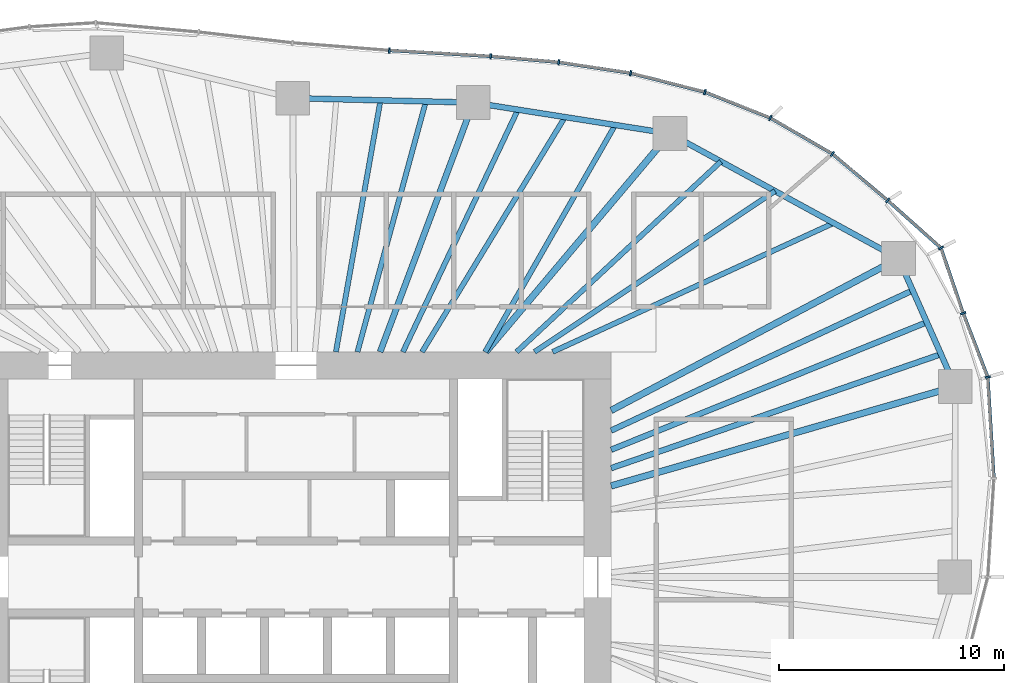
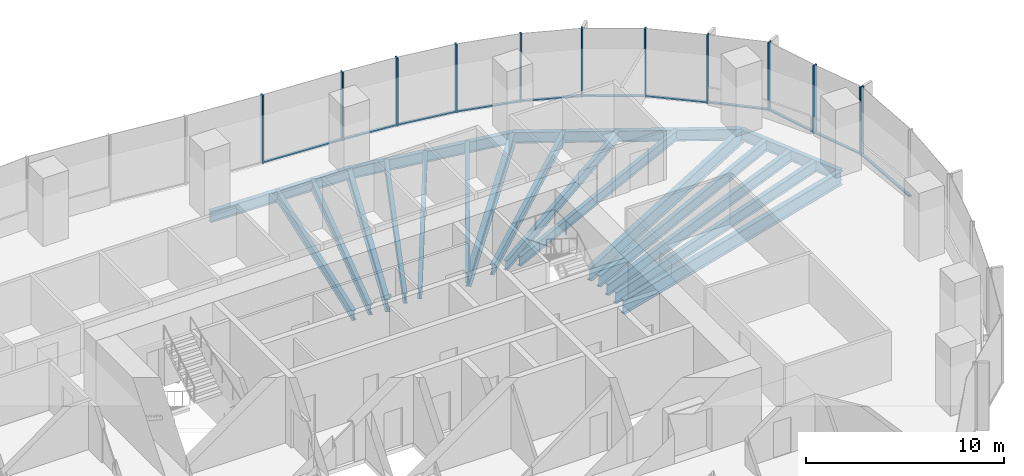
# One storey, part 6 of 18: 22 members, 19 beams, 5 elements without a shape of their own.
"""IFC4 building model written with IfcOpenShell, lengths in metres."""

from ifc_helpers import new_model, si_unit, direction, frame, origin, origin_2d, place, context, subcontext, project, spatial, rectangle, i_section, extrude, material, material_profile, profile_set, type_object, element, aggregate, save


model = new_model("IFC4")

# Units and contexts
model_context = context("Model", 3, precision=1e-05, world=origin(), true_north=direction((0.0, 1.0)))
body_context = subcontext(model_context, "Body", "Model", "MODEL_VIEW")
ifc_project = project(units=[si_unit("LENGTHUNIT", "METRE"), si_unit("AREAUNIT", "SQUARE_METRE"), si_unit("VOLUMEUNIT", "CUBIC_METRE"), si_unit("PLANEANGLEUNIT", "RADIAN"), si_unit("MASSUNIT", "GRAM", prefix="KILO")], contexts=[model_context])

# Site, building, storey
site_placement = place(None, origin())
site = spatial("IfcSite", under=ifc_project, at=site_placement, CompositionType="ELEMENT")
building_placement = place(site_placement, origin())
building = spatial("IfcBuilding", under=site, at=building_placement, Name="Ghaith Harvest Tower", CompositionType="ELEMENT")
storey_placement = place(building_placement, frame((0.0, 0.0, 138.60009765625)))
storey = spatial("IfcBuildingStorey", under=building, at=storey_placement, Name="L29", CompositionType="ELEMENT", Elevation=138.60009765625)

# Curtain wall, members
ifc_material_1 = material(Name="Black anodised aluminium and fritted glass", Category="aluminium")
curtain_wall_type = type_object("IfcCurtainWallType", Name="CW-L CURTAIN WALL", PredefinedType="NOTDEFINED", material=ifc_material_1)
curtain_wall_1_placement = place(storey_placement, origin())
curtain_wall_1 = element("IfcCurtainWall", 1, at=curtain_wall_1_placement, inside=storey, type_object=curtain_wall_type, Name="Curtain wall CW-L bay 02 L29", PredefinedType="NOTDEFINED")
ifc_material_2 = material(Name="Aluminium, black anodised", Category="aluminium")
ifc_material_profile_1 = material_profile(ifc_material_2, rectangle(XDim=0.080078125, YDim=0.239990234375, at=origin_2d()), Name="CW-L MULLION 80x240")
ifc_profile_set_1 = profile_set([ifc_material_profile_1], Name="Aluminium, black anodised")
member_type_1 = type_object("IfcMemberType", Name="CW-L MULLION 80x240", PredefinedType="MULLION", material=ifc_profile_set_1)
member_1_placement = place(storey_placement, frame((30.727294921875, 8.880859375, 0.0), z_axis=(0.0, 0.0, 1.0), x_axis=(-0.183070248196, 0.983099834313, 0.0)))
member_1 = element("IfcMember", 2, at=member_1_placement, type_object=member_type_1, Name="CW-L mullion 1 bay 02 L29", PredefinedType="MULLION", context=body_context, shape_type="SweptSolid", body=[
    extrude(rectangle(XDim=0.080078125, YDim=0.239990234375, at=origin_2d()), origin(), (0.0, 0.0, 1.0), 4.199951171875),
])
member_2_placement = place(storey_placement, frame((29.634521484375, 11.7158203125, 0.0), z_axis=(0.0, 0.0, 1.0), x_axis=(-0.340771198528, 0.940146260033, 0.0)))
member_2 = element("IfcMember", 3, at=member_2_placement, type_object=member_type_1, Name="CW-L mullion 2 bay 02 L29", PredefinedType="MULLION", context=body_context, shape_type="SweptSolid", body=[
    extrude(rectangle(XDim=0.080078125, YDim=0.239990234375, at=origin_2d()), origin(), (0.0, 0.0, 1.0), 4.199951171875),
])
member_3_placement = place(storey_placement, frame((28.64990234375, 14.61181640625, 0.0), z_axis=(0.0, 0.0, 1.0), x_axis=(-0.556324287652, 0.830965274225, 0.0)))
member_3 = element("IfcMember", 4, at=member_3_placement, type_object=member_type_1, Name="CW-L mullion 3 bay 02 L29", PredefinedType="MULLION", context=body_context, shape_type="SweptSolid", body=[
    extrude(rectangle(XDim=0.080078125, YDim=0.239990234375, at=origin_2d()), origin(), (0.0, 0.0, 1.0), 4.199951171875),
])

curtain_wall_2_placement = place(storey_placement, origin())
curtain_wall_2 = element("IfcCurtainWall", 5, at=curtain_wall_2_placement, inside=storey, type_object=curtain_wall_type, Name="Curtain wall CW-L bay 03 L29", PredefinedType="NOTDEFINED")
member_4_placement = place(storey_placement, frame((26.28076171875, 16.725341796875, 0.0), z_axis=(0.0, 0.0, 1.0), x_axis=(-0.755999423268, 0.654572281737, 0.0)))
member_4 = element("IfcMember", 6, at=member_4_placement, type_object=member_type_1, Name="CW-L mullion 1 bay 03 L29", PredefinedType="MULLION", context=body_context, shape_type="SweptSolid", body=[
    extrude(rectangle(XDim=0.080078125, YDim=0.239990234375, at=origin_2d()), origin(), (0.0, 0.0, 1.0), 4.199951171875),
])
member_5_placement = place(storey_placement, frame((23.82177734375, 18.792236328125, 0.0), z_axis=(0.0, 0.0, 1.0), x_axis=(-0.818228862146, 0.574892624018, 0.0)))
member_5 = element("IfcMember", 7, at=member_5_placement, type_object=member_type_1, Name="CW-L mullion 2 bay 03 L29", PredefinedType="MULLION", context=body_context, shape_type="SweptSolid", body=[
    extrude(rectangle(XDim=0.080078125, YDim=0.239990234375, at=origin_2d()), origin(), (0.0, 0.0, 1.0), 4.199951171875),
])
member_6_placement = place(storey_placement, frame((21.066162109375, 20.38916015625, 0.0), z_axis=(0.0, 0.0, 1.0), x_axis=(-0.899713343282, 0.436481270985, 0.0)))
member_6 = element("IfcMember", 8, at=member_6_placement, type_object=member_type_1, Name="CW-L mullion 3 bay 03 L29", PredefinedType="MULLION", context=body_context, shape_type="SweptSolid", body=[
    extrude(rectangle(XDim=0.080078125, YDim=0.239990234375, at=origin_2d()), origin(), (0.0, 0.0, 1.0), 4.199951171875),
])

curtain_wall_3_placement = place(storey_placement, origin())
curtain_wall_3 = element("IfcCurtainWall", 9, at=curtain_wall_3_placement, inside=storey, type_object=curtain_wall_type, Name="Curtain wall CW-L bay 04 L29", PredefinedType="NOTDEFINED")
member_7_placement = place(storey_placement, frame((18.162353515625, 21.537841796875, 0.0), z_axis=(0.0, 0.0, 1.0), x_axis=(-0.952152258113, 0.30562407852, 0.0)))
member_7 = element("IfcMember", 10, at=member_7_placement, type_object=member_type_1, Name="CW-L mullion 1 bay 04 L29", PredefinedType="MULLION", context=body_context, shape_type="SweptSolid", body=[
    extrude(rectangle(XDim=0.080078125, YDim=0.239990234375, at=origin_2d()), origin(), (0.0, 0.0, 1.0), 4.199951171875),
])
member_8_placement = place(storey_placement, frame((14.86474609375, 22.379638671875, 0.0), z_axis=(0.0, 0.0, 1.0), x_axis=(-0.979751952122, 0.200215165041, 0.0)))
member_8 = element("IfcMember", 11, at=member_8_placement, type_object=member_type_1, Name="CW-L mullion 2 bay 04 L29", PredefinedType="MULLION", context=body_context, shape_type="SweptSolid", body=[
    extrude(rectangle(XDim=0.080078125, YDim=0.239990234375, at=origin_2d()), origin(), (0.0, 0.0, 1.0), 4.199951171875),
])
member_9_placement = place(storey_placement, frame((11.672607421875, 22.864013671875, 0.0), z_axis=(0.0, 0.0, 1.0), x_axis=(-0.992800497873, 0.119779678673, 0.0)))
member_9 = element("IfcMember", 12, at=member_9_placement, type_object=member_type_1, Name="CW-L mullion 3 bay 04 L29", PredefinedType="MULLION", context=body_context, shape_type="SweptSolid", body=[
    extrude(rectangle(XDim=0.080078125, YDim=0.239990234375, at=origin_2d()), origin(), (0.0, 0.0, 1.0), 4.199951171875),
])

curtain_wall_4_placement = place(storey_placement, origin())
curtain_wall_4 = element("IfcCurtainWall", 13, at=curtain_wall_4_placement, inside=storey, type_object=curtain_wall_type, Name="Curtain wall CW-L bay 05 L29", PredefinedType="NOTDEFINED")
member_10_placement = place(storey_placement, frame((8.646728515625, 23.1298828125, 0.0), z_axis=(0.0, 0.0, 1.0), x_axis=(-0.997558767319, 0.069831982257, 0.0)))
member_10 = element("IfcMember", 14, at=member_10_placement, type_object=member_type_1, Name="CW-L mullion 1 bay 05 L29", PredefinedType="MULLION", context=body_context, shape_type="SweptSolid", body=[
    extrude(rectangle(XDim=0.080078125, YDim=0.239990234375, at=origin_2d()), origin(), (0.0, 0.0, 1.0), 4.199951171875),
])
member_11_placement = place(storey_placement, frame((4.146728515625, 23.390869140625, 0.0), z_axis=(0.0, 0.0, 1.0), x_axis=(-0.997689895047, 0.067932858925, 0.0)))
member_11 = element("IfcMember", 15, at=member_11_placement, type_object=member_type_1, Name="CW-L mullion 2 bay 05 L29", PredefinedType="MULLION", context=body_context, shape_type="SweptSolid", body=[
    extrude(rectangle(XDim=0.080078125, YDim=0.239990234375, at=origin_2d()), origin(), (0.0, 0.0, 1.0), 4.199951171875),
])

# Curtain wall, member
curtain_wall_5_placement = place(storey_placement, origin())
curtain_wall_5 = element("IfcCurtainWall", 16, at=curtain_wall_5_placement, inside=storey, type_object=curtain_wall_type, Name="Curtain wall CW-L bay 01 L29", PredefinedType="NOTDEFINED")
ifc_material_3 = material(Name="Aluminium, black anodised", Category="aluminium")
ifc_material_profile_2 = material_profile(ifc_material_3, rectangle(XDim=0.14990234375, YDim=0.080078125, at=origin_2d()), Name="CW-L TRANSOM 150x80")
ifc_profile_set_2 = profile_set([ifc_material_profile_2], Name="Aluminium, black anodised")
member_type_2 = type_object("IfcMemberType", Name="CW-L TRANSOM 150x80", PredefinedType="USERDEFINED", material=ifc_profile_set_2)
member_12_placement = place(storey_placement, frame((30.996337890625, 4.4296875, 0.039794921875), z_axis=(-0.060328261132, 0.99817859169, 0.0), x_axis=(-0.99817859169, -0.060328261132, 0.0)))
member_12 = element("IfcMember", 17, at=member_12_placement, type_object=member_type_2, Name="CW-L transom 2 bay 01 L29", ObjectType="TRANSOM", PredefinedType="USERDEFINED", context=body_context, shape_type="SweptSolid", body=[
    extrude(rectangle(XDim=0.14990234375, YDim=0.080078125, at=origin_2d()), origin(), (0.0, 0.0, 1.0), 4.419189453125),
])
aggregate(curtain_wall_5, [member_12])

# Member
member_13_placement = place(storey_placement, frame((30.712890625, 8.918212890625, 0.039794921875), z_axis=(-0.359637050526, 0.933092274048, 0.0), x_axis=(-0.933092274048, -0.359637050526, 0.0)))
member_13 = element("IfcMember", 18, at=member_13_placement, type_object=member_type_2, Name="CW-L transom 1 bay 02 L29", ObjectType="TRANSOM", PredefinedType="USERDEFINED", context=body_context, shape_type="SweptSolid", body=[
    extrude(rectangle(XDim=0.14990234375, YDim=0.080078125, at=origin_2d()), origin(), (0.0, 0.0, 1.0), 2.95849609375),
])

member_14_placement = place(storey_placement, frame((29.62158203125, 11.75390625, 0.039794921875), z_axis=(-0.321877752664, 0.946781237847, 0.0), x_axis=(-0.946781237847, -0.321877752664, 0.0)))
member_14 = element("IfcMember", 19, at=member_14_placement, type_object=member_type_2, Name="CW-L transom 2 bay 02 L29", ObjectType="TRANSOM", PredefinedType="USERDEFINED", context=body_context, shape_type="SweptSolid", body=[
    extrude(rectangle(XDim=0.14990234375, YDim=0.080078125, at=origin_2d()), origin(), (0.0, 0.0, 1.0), 2.978515625),
])

member_15_placement = place(storey_placement, frame((28.6201171875, 14.638427734375, 0.039794921875), z_axis=(-0.74622871112, 0.665689650438, 0.0), x_axis=(-0.665689650438, -0.74622871112, 0.0)))
member_15 = element("IfcMember", 20, at=member_15_placement, type_object=member_type_2, Name="CW-L transom 3 bay 02 L29", ObjectType="TRANSOM", PredefinedType="USERDEFINED", context=body_context, shape_type="SweptSolid", body=[
    extrude(rectangle(XDim=0.14990234375, YDim=0.080078125, at=origin_2d()), origin(), (0.0, 0.0, 1.0), 3.094970703125),
])

aggregate(curtain_wall_1, [member_1, member_13, member_2, member_14, member_3, member_15])

member_16_placement = place(storey_placement, frame((26.25, 16.7509765625, 0.039794921875), z_axis=(-0.765428400685, 0.643521066808, 0.0), x_axis=(-0.643521066808, -0.765428400685, 0.0)))
member_16 = element("IfcMember", 21, at=member_16_placement, type_object=member_type_2, Name="CW-L transom 1 bay 03 L29", ObjectType="TRANSOM", PredefinedType="USERDEFINED", context=body_context, shape_type="SweptSolid", body=[
    extrude(rectangle(XDim=0.14990234375, YDim=0.080078125, at=origin_2d()), origin(), (0.0, 0.0, 1.0), 3.132080078125),
])

member_17_placement = place(storey_placement, frame((23.787353515625, 18.812255859375, 0.039794921875), z_axis=(-0.865212673937, 0.50140505468, 0.0), x_axis=(-0.50140505468, -0.865212673937, 0.0)))
member_17 = element("IfcMember", 22, at=member_17_placement, type_object=member_type_2, Name="CW-L transom 2 bay 03 L29", ObjectType="TRANSOM", PredefinedType="USERDEFINED", context=body_context, shape_type="SweptSolid", body=[
    extrude(rectangle(XDim=0.14990234375, YDim=0.080078125, at=origin_2d()), origin(), (0.0, 0.0, 1.0), 3.10498046875),
])

member_18_placement = place(storey_placement, frame((21.029052734375, 20.40380859375, 0.039794921875), z_axis=(-0.929880954826, 0.367860584804, 0.0), x_axis=(-0.367860584804, -0.929880954826, 0.0)))
member_18 = element("IfcMember", 23, at=member_18_placement, type_object=member_type_2, Name="CW-L transom 3 bay 03 L29", ObjectType="TRANSOM", PredefinedType="USERDEFINED", context=body_context, shape_type="SweptSolid", body=[
    extrude(rectangle(XDim=0.14990234375, YDim=0.080078125, at=origin_2d()), origin(), (0.0, 0.0, 1.0), 3.04296875),
])

aggregate(curtain_wall_2, [member_4, member_16, member_5, member_17, member_6, member_18])

member_19_placement = place(storey_placement, frame((18.12353515625, 21.5478515625, 0.039794921875), z_axis=(-0.968942433805, 0.247286392614, 0.0), x_axis=(-0.247286392614, -0.968942433805, 0.0)))
member_19 = element("IfcMember", 24, at=member_19_placement, type_object=member_type_2, Name="CW-L transom 1 bay 04 L29", ObjectType="TRANSOM", PredefinedType="USERDEFINED", context=body_context, shape_type="SweptSolid", body=[
    extrude(rectangle(XDim=0.14990234375, YDim=0.080078125, at=origin_2d()), origin(), (0.0, 0.0, 1.0), 3.3232421875),
])

member_20_placement = place(storey_placement, frame((14.8251953125, 22.3857421875, 0.039794921875), z_axis=(-0.988680676153, 0.150035064572, 0.0), x_axis=(-0.150035064572, -0.988680676153, 0.0)))
member_20 = element("IfcMember", 25, at=member_20_placement, type_object=member_type_2, Name="CW-L transom 2 bay 04 L29", ObjectType="TRANSOM", PredefinedType="USERDEFINED", context=body_context, shape_type="SweptSolid", body=[
    extrude(rectangle(XDim=0.14990234375, YDim=0.080078125, at=origin_2d()), origin(), (0.0, 0.0, 1.0), 3.148681640625),
])

member_21_placement = place(storey_placement, frame((11.632568359375, 22.86767578125, 0.039794921875), z_axis=(-0.996171193061, 0.087423990507, 0.0), x_axis=(-0.087423990507, -0.996171193061, 0.0)))
member_21 = element("IfcMember", 26, at=member_21_placement, type_object=member_type_2, Name="CW-L transom 3 bay 04 L29", ObjectType="TRANSOM", PredefinedType="USERDEFINED", context=body_context, shape_type="SweptSolid", body=[
    extrude(rectangle(XDim=0.14990234375, YDim=0.080078125, at=origin_2d()), origin(), (0.0, 0.0, 1.0), 2.957275390625),
])

aggregate(curtain_wall_3, [member_7, member_19, member_8, member_20, member_9, member_21])

member_22_placement = place(storey_placement, frame((8.60693359375, 23.132080078125, 0.039794921875), z_axis=(-0.998319515187, 0.057949509028, 0.0), x_axis=(-0.057949509028, -0.998319515187, 0.0)))
member_22 = element("IfcMember", 27, at=member_22_placement, type_object=member_type_2, Name="CW-L transom 1 bay 05 L29", ObjectType="TRANSOM", PredefinedType="USERDEFINED", context=body_context, shape_type="SweptSolid", body=[
    extrude(rectangle(XDim=0.14990234375, YDim=0.080078125, at=origin_2d()), origin(), (0.0, 0.0, 1.0), 4.427734375),
])

aggregate(curtain_wall_4, [member_10, member_22, member_11])

# Beams
ifc_material_4 = material(Name="Steel ASTM A992 Grade 50", Category="steel")
ifc_material_profile_3 = material_profile(ifc_material_4, i_section(OverallWidth=0.25390625, OverallDepth=0.68408203125, WebThickness=0.012451171875, FlangeThickness=0.018798828125, at=origin_2d()), Name="W690X140")
ifc_profile_set_3 = profile_set([ifc_material_profile_3], Name="Steel ASTM A992 Grade 50")
beam_type_1 = type_object("IfcBeamType", Name="E690-140 W690X140", PredefinedType="SPANDREL", material=ifc_profile_set_3)
beam_1_placement = place(storey_placement, frame((29.285888671875, 8.464111328125, -0.51220703125), z_axis=(-0.405635615749, 0.914034872002, 0.0), x_axis=(-0.914034872002, -0.405635615749, 0.0)))
element("IfcBeam", 28, at=beam_1_placement, inside=storey, type_object=beam_type_1, Name="Edge beam E02 L29", PredefinedType="SPANDREL", context=body_context, shape_type="SweptSolid", body=[
    extrude(i_section(OverallWidth=0.25390625, OverallDepth=0.68408203125, WebThickness=0.012451171875, FlangeThickness=0.018798828125, at=origin_2d()), origin(), (0.0, 0.0, 1.0), 6.21728515625),
])
beam_2_placement = place(storey_placement, frame((26.763916015625, 14.14697265625, -0.51220703125), z_axis=(-0.877588218279, 0.479415184509, 0.0), x_axis=(-0.479415184509, -0.877588218279, 0.0)))
element("IfcBeam", 29, at=beam_2_placement, inside=storey, type_object=beam_type_1, Name="Edge beam E03 L29", PredefinedType="SPANDREL", context=body_context, shape_type="SweptSolid", body=[
    extrude(i_section(OverallWidth=0.25390625, OverallDepth=0.68408203125, WebThickness=0.012451171875, FlangeThickness=0.018798828125, at=origin_2d()), origin(), (0.0, 0.0, 1.0), 11.57275390625),
])
beam_3_placement = place(storey_placement, frame((16.60791015625, 19.695068359375, -0.51220703125), z_axis=(-0.987788485872, 0.155800857439, 0.0), x_axis=(-0.155800857439, -0.987788485872, 0.0)))
element("IfcBeam", 30, at=beam_3_placement, inside=storey, type_object=beam_type_1, Name="Edge beam E04 L29", PredefinedType="SPANDREL", context=body_context, shape_type="SweptSolid", body=[
    extrude(i_section(OverallWidth=0.25390625, OverallDepth=0.68408203125, WebThickness=0.012451171875, FlangeThickness=0.018798828125, at=origin_2d()), origin(), (0.0, 0.0, 1.0), 8.837890625),
])
beam_4_placement = place(storey_placement, frame((7.8779296875, 21.072021484375, -0.51220703125), z_axis=(-0.999692679676, 0.024790042413, 0.0), x_axis=(-0.024790042413, -0.999692679676, 0.0)))
element("IfcBeam", 31, at=beam_4_placement, inside=storey, type_object=beam_type_1, Name="Edge beam E05 L29", PredefinedType="SPANDREL", context=body_context, shape_type="SweptSolid", body=[
    extrude(i_section(OverallWidth=0.25390625, OverallDepth=0.68408203125, WebThickness=0.012451171875, FlangeThickness=0.018798828125, at=origin_2d()), origin(), (0.0, 0.0, 1.0), 8.0263671875),
])
ifc_material_5 = material(Name="Steel ASTM A992 Grade 50", Category="steel")
ifc_material_profile_4 = material_profile(ifc_material_5, i_section(OverallWidth=0.26806640625, OverallDepth=0.77001953125, WebThickness=0.015625, FlangeThickness=0.025390625, at=origin_2d()), Name="W760X196")
ifc_profile_set_4 = profile_set([ifc_material_profile_4], Name="Steel ASTM A992 Grade 50")
beam_type_2 = type_object("IfcBeamType", Name="G760-196 W760X196", PredefinedType="BEAM", material=ifc_profile_set_4)
beam_5_placement = place(storey_placement, frame((3.73828125, 10.0, -0.55517578125), z_axis=(0.350206582147, 0.936672488024, 0.0), x_axis=(-0.936672488024, 0.350206582147, 0.0)))
element("IfcBeam", 32, at=beam_5_placement, inside=storey, type_object=beam_type_2, Name="Radial girder G05 L29", PredefinedType="BEAM", context=body_context, shape_type="SweptSolid", body=[
    extrude(i_section(OverallWidth=0.26806640625, OverallDepth=0.77001953125, WebThickness=0.015625, FlangeThickness=0.025390625, at=origin_2d()), origin(), (0.0, 0.0, 1.0), 11.820556640625),
])
ifc_material_6 = material(Name="Steel ASTM A992 Grade 50", Category="steel")
ifc_material_profile_5 = material_profile(ifc_material_6, i_section(OverallWidth=0.2939453125, OverallDepth=0.85107421875, WebThickness=0.01611328125, FlangeThickness=0.02685546875, at=origin_2d()), Name="W840X226")
ifc_profile_set_5 = profile_set([ifc_material_profile_5], Name="Steel ASTM A992 Grade 50")
beam_type_3 = type_object("IfcBeamType", Name="G840-226 W840X226", PredefinedType="BEAM", material=ifc_profile_set_5)
beam_6_placement = place(storey_placement, frame((14.0, 4.04638671875, -0.595703125), z_axis=(0.960683993303, 0.27764413376, 0.0), x_axis=(-0.27764413376, 0.960683993303, 0.0)))
element("IfcBeam", 33, at=beam_6_placement, inside=storey, type_object=beam_type_3, Name="Radial girder G02 L29", PredefinedType="BEAM", context=body_context, shape_type="SweptSolid", body=[
    extrude(i_section(OverallWidth=0.2939453125, OverallDepth=0.85107421875, WebThickness=0.01611328125, FlangeThickness=0.02685546875, at=origin_2d()), origin(), (0.0, 0.0, 1.0), 15.911376953125),
])
beam_7_placement = place(storey_placement, frame((14.0, 7.39990234375, -0.595703125), z_axis=(0.884082663971, 0.467330550324, 0.0), x_axis=(-0.467330550324, 0.884082663971, 0.0)))
element("IfcBeam", 34, at=beam_7_placement, inside=storey, type_object=beam_type_3, Name="Radial girder G03 L29", PredefinedType="BEAM", context=body_context, shape_type="SweptSolid", body=[
    extrude(i_section(OverallWidth=0.2939453125, OverallDepth=0.85107421875, WebThickness=0.01611328125, FlangeThickness=0.02685546875, at=origin_2d()), origin(), (0.0, 0.0, 1.0), 14.4375),
])
beam_8_placement = place(storey_placement, frame((8.4326171875, 10.0, -0.595703125), z_axis=(0.644644245772, 0.764482698557, 0.0), x_axis=(-0.764482698557, 0.644644245772, 0.0)))
element("IfcBeam", 35, at=beam_8_placement, inside=storey, type_object=beam_type_3, Name="Radial girder G04 L29", PredefinedType="BEAM", context=body_context, shape_type="SweptSolid", body=[
    extrude(i_section(OverallWidth=0.2939453125, OverallDepth=0.85107421875, WebThickness=0.01611328125, FlangeThickness=0.02685546875, at=origin_2d()), origin(), (0.0, 0.0, 1.0), 12.681884765625),
])
ifc_material_7 = material(Name="Steel ASTM A992 Grade 50", Category="steel")
ifc_material_profile_6 = material_profile(ifc_material_7, i_section(OverallWidth=0.22900390625, OverallDepth=0.612060546875, WebThickness=0.011962890625, FlangeThickness=0.01953125, at=origin_2d()), Name="W610X125")
ifc_profile_set_6 = profile_set([ifc_material_profile_6], Name="Steel ASTM A992 Grade 50")
beam_type_4 = type_object("IfcBeamType", Name="J610-125 W610X125", PredefinedType="JOIST", material=ifc_profile_set_6)
beam_9_placement = place(storey_placement, frame((11.39990234375, 10.0, -0.47607421875), z_axis=(0.909014022454, 0.416765529983, 0.0), x_axis=(-0.416765529983, 0.909014022454, 0.0)))
element("IfcBeam", 36, at=beam_9_placement, inside=storey, type_object=beam_type_4, Name="Joist J03.1 L29", PredefinedType="JOIST", context=body_context, shape_type="SweptSolid", body=[
    extrude(i_section(OverallWidth=0.22900390625, OverallDepth=0.612060546875, WebThickness=0.011962890625, FlangeThickness=0.01953125, at=origin_2d()), origin(), (0.0, 0.0, 1.0), 13.72998046875),
])
beam_10_placement = place(storey_placement, frame((10.60009765625, 10.0, -0.47607421875), z_axis=(0.831116486766, 0.556098359489, 0.0), x_axis=(-0.556098359489, 0.831116486766, 0.0)))
element("IfcBeam", 37, at=beam_10_placement, inside=storey, type_object=beam_type_4, Name="Joist J03.2 L29", PredefinedType="JOIST", context=body_context, shape_type="SweptSolid", body=[
    extrude(i_section(OverallWidth=0.22900390625, OverallDepth=0.612060546875, WebThickness=0.011962890625, FlangeThickness=0.01953125, at=origin_2d()), origin(), (0.0, 0.0, 1.0), 12.84716796875),
])
beam_11_placement = place(storey_placement, frame((9.800048828125, 10.0, -0.47607421875), z_axis=(0.731538123562, 0.681800538116, 0.0), x_axis=(-0.681800538116, 0.731538123562, 0.0)))
element("IfcBeam", 38, at=beam_11_placement, inside=storey, type_object=beam_type_4, Name="Joist J03.3 L29", PredefinedType="JOIST", context=body_context, shape_type="SweptSolid", body=[
    extrude(i_section(OverallWidth=0.22900390625, OverallDepth=0.612060546875, WebThickness=0.011962890625, FlangeThickness=0.01953125, at=origin_2d()), origin(), (0.0, 0.0, 1.0), 12.404052734375),
])
beam_12_placement = place(storey_placement, frame((8.39990234375, 10.0, -0.47607421875), z_axis=(0.497444212127, 0.867495968764, 0.0), x_axis=(-0.867495968764, 0.497444212127, 0.0)))
element("IfcBeam", 39, at=beam_12_placement, inside=storey, type_object=beam_type_4, Name="Joist J04.1 L29", PredefinedType="JOIST", context=body_context, shape_type="SweptSolid", body=[
    extrude(i_section(OverallWidth=0.22900390625, OverallDepth=0.612060546875, WebThickness=0.011962890625, FlangeThickness=0.01953125, at=origin_2d()), origin(), (0.0, 0.0, 1.0), 11.617431640625),
])
beam_13_placement = place(storey_placement, frame((5.60009765625, 10.0, -0.47607421875), z_axis=(0.519863845761, 0.854249133374, 0.0), x_axis=(-0.854249133374, 0.519863845761, 0.0)))
element("IfcBeam", 40, at=beam_13_placement, inside=storey, type_object=beam_type_4, Name="Joist J04.2 L29", PredefinedType="JOIST", context=body_context, shape_type="SweptSolid", body=[
    extrude(i_section(OverallWidth=0.22900390625, OverallDepth=0.612060546875, WebThickness=0.011962890625, FlangeThickness=0.01953125, at=origin_2d()), origin(), (0.0, 0.0, 1.0), 12.209716796875),
])
beam_14_placement = place(storey_placement, frame((4.75, 10.0, -0.47607421875), z_axis=(0.429069356877, 0.903271546651, 0.0), x_axis=(-0.903271546651, 0.429069356877, 0.0)))
element("IfcBeam", 41, at=beam_14_placement, inside=storey, type_object=beam_type_4, Name="Joist J04.3 L29", PredefinedType="JOIST", context=body_context, shape_type="SweptSolid", body=[
    extrude(i_section(OverallWidth=0.22900390625, OverallDepth=0.612060546875, WebThickness=0.011962890625, FlangeThickness=0.01953125, at=origin_2d()), origin(), (0.0, 0.0, 1.0), 11.911376953125),
])
beam_15_placement = place(storey_placement, frame((2.73095703125, 10.0, -0.47607421875), z_axis=(0.263455967932, 0.964671422279, 0.0), x_axis=(-0.964671422279, 0.263455967932, 0.0)))
element("IfcBeam", 42, at=beam_15_placement, inside=storey, type_object=beam_type_4, Name="Joist J05.1 L29", PredefinedType="JOIST", context=body_context, shape_type="SweptSolid", body=[
    extrude(i_section(OverallWidth=0.22900390625, OverallDepth=0.612060546875, WebThickness=0.011962890625, FlangeThickness=0.01953125, at=origin_2d()), origin(), (0.0, 0.0, 1.0), 11.53173828125),
])
beam_16_placement = place(storey_placement, frame((1.772705078125, 10.0, -0.47607421875), z_axis=(0.17455599258, 0.984647249249, 0.0), x_axis=(-0.984647249249, 0.17455599258, 0.0)))
element("IfcBeam", 43, at=beam_16_placement, inside=storey, type_object=beam_type_4, Name="Joist J05.2 L29", PredefinedType="JOIST", context=body_context, shape_type="SweptSolid", body=[
    extrude(i_section(OverallWidth=0.22900390625, OverallDepth=0.612060546875, WebThickness=0.011962890625, FlangeThickness=0.01953125, at=origin_2d()), origin(), (0.0, 0.0, 1.0), 11.3486328125),
])
ifc_material_8 = material(Name="Steel ASTM A992 Grade 50", Category="steel")
ifc_material_profile_7 = material_profile(ifc_material_8, i_section(OverallWidth=0.25390625, OverallDepth=0.68408203125, WebThickness=0.012451171875, FlangeThickness=0.018798828125, at=origin_2d()), Name="W690X140")
ifc_profile_set_7 = profile_set([ifc_material_profile_7], Name="Steel ASTM A992 Grade 50")
beam_type_5 = type_object("IfcBeamType", Name="J690-140 W690X140", PredefinedType="JOIST", material=ifc_profile_set_7)
beam_17_placement = place(storey_placement, frame((14.0, 4.835693359375, -0.51220703125), z_axis=(0.945204964965, 0.32647752481, 0.0), x_axis=(-0.32647752481, 0.945204964965, 0.0)))
element("IfcBeam", 44, at=beam_17_placement, inside=storey, type_object=beam_type_5, Name="Joist J02.1 L29", PredefinedType="JOIST", context=body_context, shape_type="SweptSolid", body=[
    extrude(i_section(OverallWidth=0.25390625, OverallDepth=0.68408203125, WebThickness=0.012451171875, FlangeThickness=0.018798828125, at=origin_2d()), origin(), (0.0, 0.0, 1.0), 15.499755859375),
])
beam_18_placement = place(storey_placement, frame((14.0, 5.653564453125, -0.51220703125), z_axis=(0.927247874511, 0.374448099495, 0.0), x_axis=(-0.374448099495, 0.927247874511, 0.0)))
element("IfcBeam", 45, at=beam_18_placement, inside=storey, type_object=beam_type_5, Name="Joist J02.2 L29", PredefinedType="JOIST", context=body_context, shape_type="SweptSolid", body=[
    extrude(i_section(OverallWidth=0.25390625, OverallDepth=0.68408203125, WebThickness=0.012451171875, FlangeThickness=0.018798828125, at=origin_2d()), origin(), (0.0, 0.0, 1.0), 15.12060546875),
])
beam_19_placement = place(storey_placement, frame((14.0, 6.506103515625, -0.51220703125), z_axis=(0.906865717917, 0.42141970726, 0.0), x_axis=(-0.42141970726, 0.906865717917, 0.0)))
element("IfcBeam", 46, at=beam_19_placement, inside=storey, type_object=beam_type_5, Name="Joist J02.3 L29", PredefinedType="JOIST", context=body_context, shape_type="SweptSolid", body=[
    extrude(i_section(OverallWidth=0.25390625, OverallDepth=0.68408203125, WebThickness=0.012451171875, FlangeThickness=0.018798828125, at=origin_2d()), origin(), (0.0, 0.0, 1.0), 14.768310546875),
])

save(model, "model.ifc")
